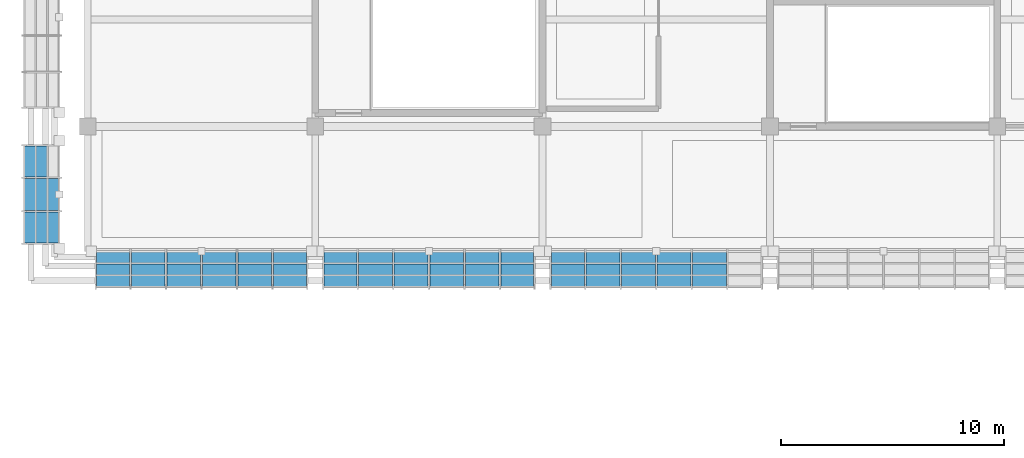
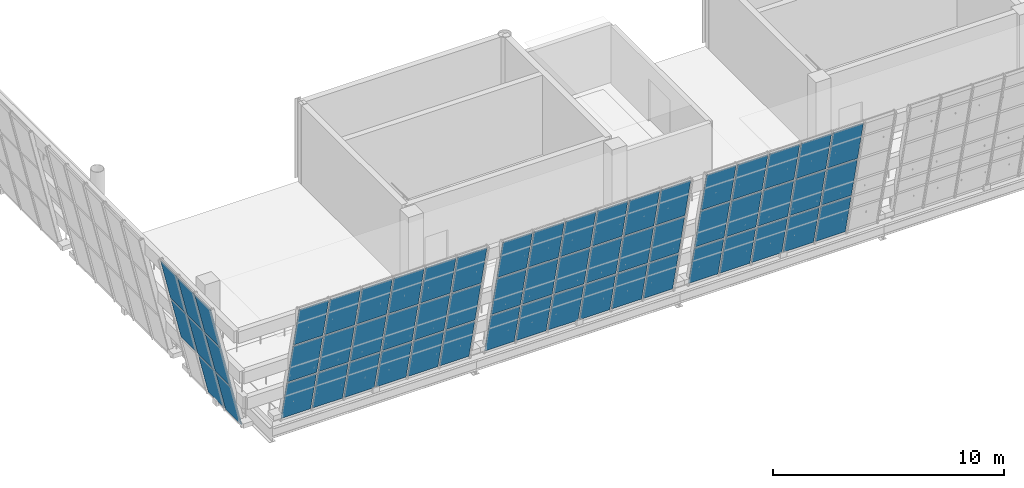
# One storey, part 100 of 157: 59 plates, 4 elements without a shape of their own.
"""IFC4 building model written with IfcOpenShell, lengths in metres."""

from ifc_helpers import new_model, si_unit, direction, frame, origin, place, context, subcontext, project, spatial, polyline, outline, extrude, material, layer, layer_set, type_object, element, aggregate, save


model = new_model("IFC4")

# Units and contexts
model_context = context("Model", 3, precision=1e-05, world=origin(), true_north=direction((0.0, 1.0)))
body_context = subcontext(model_context, "Body", "Model", "MODEL_VIEW")
ifc_project = project(units=[si_unit("LENGTHUNIT", "METRE"), si_unit("AREAUNIT", "SQUARE_METRE"), si_unit("VOLUMEUNIT", "CUBIC_METRE"), si_unit("PLANEANGLEUNIT", "RADIAN"), si_unit("MASSUNIT", "GRAM", prefix="KILO")], contexts=[model_context])

# Site, building, storey
site_placement = place(None, origin())
site = spatial("IfcSite", under=ifc_project, at=site_placement, CompositionType="ELEMENT")
building_placement = place(site_placement, origin())
building = spatial("IfcBuilding", under=site, at=building_placement, Name="Brelvane Convention Centre", CompositionType="ELEMENT")
storey_placement = place(building_placement, frame((0.0, 0.0, 10.800048828125)))
storey = spatial("IfcBuildingStorey", under=building, at=storey_placement, Name="L02", CompositionType="ELEMENT", Elevation=10.800048828125)

# Curtain wall, plates
ifc_material_1 = material(Name="Anodised Aluminium Alloy 6063-T6", Category="aluminium")
curtain_wall_type = type_object("IfcCurtainWallType", Name="Curtain Wall CW-HULL-S", PredefinedType="USERDEFINED", material=ifc_material_1)
curtain_wall_1_placement = place(storey_placement, origin())
curtain_wall_1 = element("IfcCurtainWall", 1, at=curtain_wall_1_placement, inside=storey, type_object=curtain_wall_type, Name="Curtain Wall CW-HULL-S L02-HULL-S-L02-01", ObjectType="UNITISED", PredefinedType="USERDEFINED")
ifc_material_2 = material(Name="Double Glazed Low-E Laminated Unit")
ifc_layer_1 = layer(ifc_material_2, 0.0380859375)
ifc_layer_set_1 = layer_set([ifc_layer_1], Name="Double Glazed Low-E Laminated Unit")
plate_type_1 = type_object("IfcPlateType", Name="Curtain Panel CW-PG2", PredefinedType="CURTAIN_PANEL", material=ifc_layer_set_1)
plate_1_placement = place(storey_placement, frame((0.39990234375, 13.05517578125, 2.3232421875), z_axis=(0.0, 0.973573977576, 0.228371868203), x_axis=(1.0, 0.0, 0.0)))
plate_1 = element("IfcPlate", 2, at=plate_1_placement, type_object=plate_type_1, Name="CW-HULL-S panel 1.2", PredefinedType="CURTAIN_PANEL", context=body_context, shape_type="SweptSolid", body=[
    extrude(outline(polyline([(0.0, 0.0), (1.473388671875, 0.0), (1.473388671875, -2.2631758771022032), (0.0, -2.2631758771022032), (0.0, 0.0)])), origin(), (0.0, 0.0, -1.0), 0.0380859375),
])
plate_2_placement = place(storey_placement, frame((0.39990234375, 12.51953125, 4.606689453125), z_axis=(0.0, 0.973586933466, 0.228316628794), x_axis=(1.0, 0.0, 0.0)))
plate_2 = element("IfcPlate", 3, at=plate_2_placement, type_object=plate_type_1, Name="CW-HULL-S panel 1.3", PredefinedType="CURTAIN_PANEL", context=body_context, shape_type="SweptSolid", body=[
    extrude(outline(polyline([(0.0, 0.0), (1.473388671875, 0.0), (1.473388671875, -2.2220204521674902), (0.0, -2.2220204521674902), (0.0, 0.0)])), origin(), (0.0, 0.0, -1.0), 0.0380859375),
])
plate_3_placement = place(storey_placement, frame((1.953369140625, 13.05517578125, 2.3232421875), z_axis=(0.0, 0.973573977576, 0.228371868203), x_axis=(1.0, 0.0, 0.0)))
plate_3 = element("IfcPlate", 4, at=plate_3_placement, type_object=plate_type_1, Name="CW-HULL-S panel 2.2", PredefinedType="CURTAIN_PANEL", context=body_context, shape_type="SweptSolid", body=[
    extrude(outline(polyline([(0.0, 0.0), (1.51318359375, 0.0), (1.51318359375, -2.2631758771022032), (0.0, -2.2631758771022032), (0.0, 0.0)])), origin(), (0.0, 0.0, -1.0), 0.0380859375),
])
plate_4_placement = place(storey_placement, frame((1.953369140625, 12.51953125, 4.606689453125), z_axis=(0.0, 0.973586933466, 0.228316628794), x_axis=(1.0, 0.0, 0.0)))
plate_4 = element("IfcPlate", 5, at=plate_4_placement, type_object=plate_type_1, Name="CW-HULL-S panel 2.3", PredefinedType="CURTAIN_PANEL", context=body_context, shape_type="SweptSolid", body=[
    extrude(outline(polyline([(0.0, 0.0), (1.51318359375, 0.0), (1.51318359375, -2.2220204521674902), (0.0, -2.2220204521674902), (0.0, 0.0)])), origin(), (0.0, 0.0, -1.0), 0.0380859375),
])
plate_5_placement = place(storey_placement, frame((3.546630859375, 13.05517578125, 2.3232421875), z_axis=(0.0, 0.973573977576, 0.228371868203), x_axis=(1.0, 0.0, 0.0)))
plate_5 = element("IfcPlate", 6, at=plate_5_placement, type_object=plate_type_1, Name="CW-HULL-S panel 3.2", PredefinedType="CURTAIN_PANEL", context=body_context, shape_type="SweptSolid", body=[
    extrude(outline(polyline([(0.0, 0.0), (1.513427734375, 0.0), (1.513427734375, -2.2631758771022032), (0.0, -2.2631758771022032), (0.0, 0.0)])), origin(), (0.0, 0.0, -1.0), 0.0380859375),
])
plate_6_placement = place(storey_placement, frame((3.546630859375, 12.51953125, 4.606689453125), z_axis=(0.0, 0.973586933466, 0.228316628794), x_axis=(1.0, 0.0, 0.0)))
plate_6 = element("IfcPlate", 7, at=plate_6_placement, type_object=plate_type_1, Name="CW-HULL-S panel 3.3", PredefinedType="CURTAIN_PANEL", context=body_context, shape_type="SweptSolid", body=[
    extrude(outline(polyline([(0.0, 0.0), (1.513427734375, 0.0), (1.513427734375, -2.2220204521674902), (0.0, -2.2220204521674902), (0.0, 0.0)])), origin(), (0.0, 0.0, -1.0), 0.0380859375),
])
plate_7_placement = place(storey_placement, frame((5.139892578125, 13.05517578125, 2.3232421875), z_axis=(0.0, 0.973573977576, 0.228371868203), x_axis=(1.0, 0.0, 0.0)))
plate_7 = element("IfcPlate", 8, at=plate_7_placement, type_object=plate_type_1, Name="CW-HULL-S panel 4.2", PredefinedType="CURTAIN_PANEL", context=body_context, shape_type="SweptSolid", body=[
    extrude(outline(polyline([(0.0, 0.0), (1.513427734375, 0.0), (1.513427734375, -2.2631758771022032), (0.0, -2.2631758771022032), (0.0, 0.0)])), origin(), (0.0, 0.0, -1.0), 0.0380859375),
])
plate_8_placement = place(storey_placement, frame((5.139892578125, 12.51953125, 4.606689453125), z_axis=(0.0, 0.973586933466, 0.228316628794), x_axis=(1.0, 0.0, 0.0)))
plate_8 = element("IfcPlate", 9, at=plate_8_placement, type_object=plate_type_1, Name="CW-HULL-S panel 4.3", PredefinedType="CURTAIN_PANEL", context=body_context, shape_type="SweptSolid", body=[
    extrude(outline(polyline([(0.0, 0.0), (1.513427734375, 0.0), (1.513427734375, -2.2220204521674902), (0.0, -2.2220204521674902), (0.0, 0.0)])), origin(), (0.0, 0.0, -1.0), 0.0380859375),
])
plate_9_placement = place(storey_placement, frame((6.7333984375, 13.05517578125, 2.3232421875), z_axis=(0.0, 0.973573977576, 0.228371868203), x_axis=(1.0, 0.0, 0.0)))
plate_9 = element("IfcPlate", 10, at=plate_9_placement, type_object=plate_type_1, Name="CW-HULL-S panel 5.2", PredefinedType="CURTAIN_PANEL", context=body_context, shape_type="SweptSolid", body=[
    extrude(outline(polyline([(0.0, 0.0), (1.51318359375, 0.0), (1.51318359375, -2.2631758771022032), (0.0, -2.2631758771022032), (0.0, 0.0)])), origin(), (0.0, 0.0, -1.0), 0.0380859375),
])
plate_10_placement = place(storey_placement, frame((6.7333984375, 12.51953125, 4.606689453125), z_axis=(0.0, 0.973586933466, 0.228316628794), x_axis=(1.0, 0.0, 0.0)))
plate_10 = element("IfcPlate", 11, at=plate_10_placement, type_object=plate_type_1, Name="CW-HULL-S panel 5.3", PredefinedType="CURTAIN_PANEL", context=body_context, shape_type="SweptSolid", body=[
    extrude(outline(polyline([(0.0, 0.0), (1.51318359375, 0.0), (1.51318359375, -2.2220204521674902), (0.0, -2.2220204521674902), (0.0, 0.0)])), origin(), (0.0, 0.0, -1.0), 0.0380859375),
])
plate_11_placement = place(storey_placement, frame((8.32666015625, 13.05517578125, 2.3232421875), z_axis=(0.0, 0.973573977576, 0.228371868203), x_axis=(1.0, 0.0, 0.0)))
plate_11 = element("IfcPlate", 12, at=plate_11_placement, type_object=plate_type_1, Name="CW-HULL-S panel 6.2", PredefinedType="CURTAIN_PANEL", context=body_context, shape_type="SweptSolid", body=[
    extrude(outline(polyline([(0.0, 0.0), (1.473388671875, 0.0), (1.473388671875, -2.2631758771022032), (0.0, -2.2631758771022032), (0.0, 0.0)])), origin(), (0.0, 0.0, -1.0), 0.0380859375),
])
plate_12_placement = place(storey_placement, frame((8.32666015625, 12.51953125, 4.606689453125), z_axis=(0.0, 0.973586933466, 0.228316628794), x_axis=(1.0, 0.0, 0.0)))
plate_12 = element("IfcPlate", 13, at=plate_12_placement, type_object=plate_type_1, Name="CW-HULL-S panel 6.3", PredefinedType="CURTAIN_PANEL", context=body_context, shape_type="SweptSolid", body=[
    extrude(outline(polyline([(0.0, 0.0), (1.473388671875, 0.0), (1.473388671875, -2.2220204521674902), (0.0, -2.2220204521674902), (0.0, 0.0)])), origin(), (0.0, 0.0, -1.0), 0.0380859375),
])

curtain_wall_2_placement = place(storey_placement, origin())
curtain_wall_2 = element("IfcCurtainWall", 14, at=curtain_wall_2_placement, inside=storey, type_object=curtain_wall_type, Name="Curtain Wall CW-HULL-S L02-HULL-S-L02-02", ObjectType="UNITISED", PredefinedType="USERDEFINED")
plate_13_placement = place(storey_placement, frame((10.60009765625, 13.05517578125, 2.3232421875), z_axis=(0.0, 0.973573977576, 0.228371868203), x_axis=(1.0, 0.0, 0.0)))
plate_13 = element("IfcPlate", 15, at=plate_13_placement, type_object=plate_type_1, Name="CW-HULL-S panel 1.2", PredefinedType="CURTAIN_PANEL", context=body_context, shape_type="SweptSolid", body=[
    extrude(outline(polyline([(0.0, 0.0), (1.47314453125, 0.0), (1.47314453125, -2.2631758771022032), (0.0, -2.2631758771022032), (0.0, 0.0)])), origin(), (0.0, 0.0, -1.0), 0.0380859375),
])
plate_14_placement = place(storey_placement, frame((10.60009765625, 12.51953125, 4.606689453125), z_axis=(0.0, 0.973586933466, 0.228316628794), x_axis=(1.0, 0.0, 0.0)))
plate_14 = element("IfcPlate", 16, at=plate_14_placement, type_object=plate_type_1, Name="CW-HULL-S panel 1.3", PredefinedType="CURTAIN_PANEL", context=body_context, shape_type="SweptSolid", body=[
    extrude(outline(polyline([(0.0, 0.0), (1.47314453125, 0.0), (1.47314453125, -2.2220204521674902), (0.0, -2.2220204521674902), (0.0, 0.0)])), origin(), (0.0, 0.0, -1.0), 0.0380859375),
])
plate_15_placement = place(storey_placement, frame((12.1533203125, 13.05517578125, 2.3232421875), z_axis=(0.0, 0.973573977576, 0.228371868203), x_axis=(1.0, 0.0, 0.0)))
plate_15 = element("IfcPlate", 17, at=plate_15_placement, type_object=plate_type_1, Name="CW-HULL-S panel 2.2", PredefinedType="CURTAIN_PANEL", context=body_context, shape_type="SweptSolid", body=[
    extrude(outline(polyline([(0.0, 0.0), (1.513427734375, 0.0), (1.513427734375, -2.2631758771022032), (0.0, -2.2631758771022032), (0.0, 0.0)])), origin(), (0.0, 0.0, -1.0), 0.0380859375),
])
plate_16_placement = place(storey_placement, frame((12.1533203125, 12.51953125, 4.606689453125), z_axis=(0.0, 0.973586933466, 0.228316628794), x_axis=(1.0, 0.0, 0.0)))
plate_16 = element("IfcPlate", 18, at=plate_16_placement, type_object=plate_type_1, Name="CW-HULL-S panel 2.3", PredefinedType="CURTAIN_PANEL", context=body_context, shape_type="SweptSolid", body=[
    extrude(outline(polyline([(0.0, 0.0), (1.513427734375, 0.0), (1.513427734375, -2.2220204521674902), (0.0, -2.2220204521674902), (0.0, 0.0)])), origin(), (0.0, 0.0, -1.0), 0.0380859375),
])
plate_17_placement = place(storey_placement, frame((13.74658203125, 13.05517578125, 2.3232421875), z_axis=(0.0, 0.973573977576, 0.228371868203), x_axis=(1.0, 0.0, 0.0)))
plate_17 = element("IfcPlate", 19, at=plate_17_placement, type_object=plate_type_1, Name="CW-HULL-S panel 3.2", PredefinedType="CURTAIN_PANEL", context=body_context, shape_type="SweptSolid", body=[
    extrude(outline(polyline([(0.0, 0.0), (1.513427734375, 0.0), (1.513427734375, -2.2631758771022032), (0.0, -2.2631758771022032), (0.0, 0.0)])), origin(), (0.0, 0.0, -1.0), 0.0380859375),
])
plate_18_placement = place(storey_placement, frame((13.74658203125, 12.51953125, 4.606689453125), z_axis=(0.0, 0.973586933466, 0.228316628794), x_axis=(1.0, 0.0, 0.0)))
plate_18 = element("IfcPlate", 20, at=plate_18_placement, type_object=plate_type_1, Name="CW-HULL-S panel 3.3", PredefinedType="CURTAIN_PANEL", context=body_context, shape_type="SweptSolid", body=[
    extrude(outline(polyline([(0.0, 0.0), (1.513427734375, 0.0), (1.513427734375, -2.2220204521674902), (0.0, -2.2220204521674902), (0.0, 0.0)])), origin(), (0.0, 0.0, -1.0), 0.0380859375),
])
plate_19_placement = place(storey_placement, frame((15.340087890625, 13.05517578125, 2.3232421875), z_axis=(0.0, 0.973573977576, 0.228371868203), x_axis=(1.0, 0.0, 0.0)))
plate_19 = element("IfcPlate", 21, at=plate_19_placement, type_object=plate_type_1, Name="CW-HULL-S panel 4.2", PredefinedType="CURTAIN_PANEL", context=body_context, shape_type="SweptSolid", body=[
    extrude(outline(polyline([(0.0, 0.0), (1.51318359375, 0.0), (1.51318359375, -2.2631758771022032), (0.0, -2.2631758771022032), (0.0, 0.0)])), origin(), (0.0, 0.0, -1.0), 0.0380859375),
])
plate_20_placement = place(storey_placement, frame((15.340087890625, 12.51953125, 4.606689453125), z_axis=(0.0, 0.973586933466, 0.228316628794), x_axis=(1.0, 0.0, 0.0)))
plate_20 = element("IfcPlate", 22, at=plate_20_placement, type_object=plate_type_1, Name="CW-HULL-S panel 4.3", PredefinedType="CURTAIN_PANEL", context=body_context, shape_type="SweptSolid", body=[
    extrude(outline(polyline([(0.0, 0.0), (1.51318359375, 0.0), (1.51318359375, -2.2220204521674902), (0.0, -2.2220204521674902), (0.0, 0.0)])), origin(), (0.0, 0.0, -1.0), 0.0380859375),
])
plate_21_placement = place(storey_placement, frame((16.933349609375, 13.05517578125, 2.3232421875), z_axis=(0.0, 0.973573977576, 0.228371868203), x_axis=(1.0, 0.0, 0.0)))
plate_21 = element("IfcPlate", 23, at=plate_21_placement, type_object=plate_type_1, Name="CW-HULL-S panel 5.2", PredefinedType="CURTAIN_PANEL", context=body_context, shape_type="SweptSolid", body=[
    extrude(outline(polyline([(0.0, 0.0), (1.513427734375, 0.0), (1.513427734375, -2.2631758771022032), (0.0, -2.2631758771022032), (0.0, 0.0)])), origin(), (0.0, 0.0, -1.0), 0.0380859375),
])
plate_22_placement = place(storey_placement, frame((16.933349609375, 12.51953125, 4.606689453125), z_axis=(0.0, 0.973586933466, 0.228316628794), x_axis=(1.0, 0.0, 0.0)))
plate_22 = element("IfcPlate", 24, at=plate_22_placement, type_object=plate_type_1, Name="CW-HULL-S panel 5.3", PredefinedType="CURTAIN_PANEL", context=body_context, shape_type="SweptSolid", body=[
    extrude(outline(polyline([(0.0, 0.0), (1.513427734375, 0.0), (1.513427734375, -2.2220204521674902), (0.0, -2.2220204521674902), (0.0, 0.0)])), origin(), (0.0, 0.0, -1.0), 0.0380859375),
])
plate_23_placement = place(storey_placement, frame((18.526611328125, 13.05517578125, 2.3232421875), z_axis=(0.0, 0.973573977576, 0.228371868203), x_axis=(1.0, 0.0, 0.0)))
plate_23 = element("IfcPlate", 25, at=plate_23_placement, type_object=plate_type_1, Name="CW-HULL-S panel 6.2", PredefinedType="CURTAIN_PANEL", context=body_context, shape_type="SweptSolid", body=[
    extrude(outline(polyline([(0.0, 0.0), (1.473388671875, 0.0), (1.473388671875, -2.2631758771022032), (0.0, -2.2631758771022032), (0.0, 0.0)])), origin(), (0.0, 0.0, -1.0), 0.0380859375),
])
plate_24_placement = place(storey_placement, frame((18.526611328125, 12.51953125, 4.606689453125), z_axis=(0.0, 0.973586933466, 0.228316628794), x_axis=(1.0, 0.0, 0.0)))
plate_24 = element("IfcPlate", 26, at=plate_24_placement, type_object=plate_type_1, Name="CW-HULL-S panel 6.3", PredefinedType="CURTAIN_PANEL", context=body_context, shape_type="SweptSolid", body=[
    extrude(outline(polyline([(0.0, 0.0), (1.473388671875, 0.0), (1.473388671875, -2.2220204521674902), (0.0, -2.2220204521674902), (0.0, 0.0)])), origin(), (0.0, 0.0, -1.0), 0.0380859375),
])

curtain_wall_3_placement = place(storey_placement, origin())
curtain_wall_3 = element("IfcCurtainWall", 27, at=curtain_wall_3_placement, inside=storey, type_object=curtain_wall_type, Name="Curtain Wall CW-HULL-S L02-HULL-S-L02-03", ObjectType="UNITISED", PredefinedType="USERDEFINED")
plate_25_placement = place(storey_placement, frame((20.800048828125, 13.05517578125, 2.3232421875), z_axis=(0.0, 0.973573977576, 0.228371868203), x_axis=(1.0, 0.0, 0.0)))
plate_25 = element("IfcPlate", 28, at=plate_25_placement, type_object=plate_type_1, Name="CW-HULL-S panel 1.2", PredefinedType="CURTAIN_PANEL", context=body_context, shape_type="SweptSolid", body=[
    extrude(outline(polyline([(0.0, 0.0), (1.473388671875, 0.0), (1.473388671875, -2.2631758771022032), (0.0, -2.2631758771022032), (0.0, 0.0)])), origin(), (0.0, 0.0, -1.0), 0.0380859375),
])
plate_26_placement = place(storey_placement, frame((20.800048828125, 12.51953125, 4.606689453125), z_axis=(0.0, 0.973586933466, 0.228316628794), x_axis=(1.0, 0.0, 0.0)))
plate_26 = element("IfcPlate", 29, at=plate_26_placement, type_object=plate_type_1, Name="CW-HULL-S panel 1.3", PredefinedType="CURTAIN_PANEL", context=body_context, shape_type="SweptSolid", body=[
    extrude(outline(polyline([(0.0, 0.0), (1.473388671875, 0.0), (1.473388671875, -2.2220204521674902), (0.0, -2.2220204521674902), (0.0, 0.0)])), origin(), (0.0, 0.0, -1.0), 0.0380859375),
])
plate_27_placement = place(storey_placement, frame((22.353271484375, 13.05517578125, 2.3232421875), z_axis=(0.0, 0.973573977576, 0.228371868203), x_axis=(1.0, 0.0, 0.0)))
plate_27 = element("IfcPlate", 30, at=plate_27_placement, type_object=plate_type_1, Name="CW-HULL-S panel 2.2", PredefinedType="CURTAIN_PANEL", context=body_context, shape_type="SweptSolid", body=[
    extrude(outline(polyline([(0.0, 0.0), (1.513427734375, 0.0), (1.513427734375, -2.2631758771022032), (0.0, -2.2631758771022032), (0.0, 0.0)])), origin(), (0.0, 0.0, -1.0), 0.0380859375),
])
plate_28_placement = place(storey_placement, frame((22.353271484375, 12.51953125, 4.606689453125), z_axis=(0.0, 0.973586933466, 0.228316628794), x_axis=(1.0, 0.0, 0.0)))
plate_28 = element("IfcPlate", 31, at=plate_28_placement, type_object=plate_type_1, Name="CW-HULL-S panel 2.3", PredefinedType="CURTAIN_PANEL", context=body_context, shape_type="SweptSolid", body=[
    extrude(outline(polyline([(0.0, 0.0), (1.513427734375, 0.0), (1.513427734375, -2.2220204521674902), (0.0, -2.2220204521674902), (0.0, 0.0)])), origin(), (0.0, 0.0, -1.0), 0.0380859375),
])
plate_29_placement = place(storey_placement, frame((23.94677734375, 13.05517578125, 2.3232421875), z_axis=(0.0, 0.973573977576, 0.228371868203), x_axis=(1.0, 0.0, 0.0)))
plate_29 = element("IfcPlate", 32, at=plate_29_placement, type_object=plate_type_1, Name="CW-HULL-S panel 3.2", PredefinedType="CURTAIN_PANEL", context=body_context, shape_type="SweptSolid", body=[
    extrude(outline(polyline([(0.0, 0.0), (1.51318359375, 0.0), (1.51318359375, -2.2631758771022032), (0.0, -2.2631758771022032), (0.0, 0.0)])), origin(), (0.0, 0.0, -1.0), 0.0380859375),
])
plate_30_placement = place(storey_placement, frame((23.94677734375, 12.51953125, 4.606689453125), z_axis=(0.0, 0.973586933466, 0.228316628794), x_axis=(1.0, 0.0, 0.0)))
plate_30 = element("IfcPlate", 33, at=plate_30_placement, type_object=plate_type_1, Name="CW-HULL-S panel 3.3", PredefinedType="CURTAIN_PANEL", context=body_context, shape_type="SweptSolid", body=[
    extrude(outline(polyline([(0.0, 0.0), (1.51318359375, 0.0), (1.51318359375, -2.2220204521674902), (0.0, -2.2220204521674902), (0.0, 0.0)])), origin(), (0.0, 0.0, -1.0), 0.0380859375),
])
plate_31_placement = place(storey_placement, frame((25.5400390625, 13.05517578125, 2.3232421875), z_axis=(0.0, 0.973573977576, 0.228371868203), x_axis=(1.0, 0.0, 0.0)))
plate_31 = element("IfcPlate", 34, at=plate_31_placement, type_object=plate_type_1, Name="CW-HULL-S panel 4.2", PredefinedType="CURTAIN_PANEL", context=body_context, shape_type="SweptSolid", body=[
    extrude(outline(polyline([(0.0, 0.0), (1.51318359375, 0.0), (1.51318359375, -2.2631758771022032), (0.0, -2.2631758771022032), (0.0, 0.0)])), origin(), (0.0, 0.0, -1.0), 0.0380859375),
])
plate_32_placement = place(storey_placement, frame((25.5400390625, 12.51953125, 4.606689453125), z_axis=(0.0, 0.973586933466, 0.228316628794), x_axis=(1.0, 0.0, 0.0)))
plate_32 = element("IfcPlate", 35, at=plate_32_placement, type_object=plate_type_1, Name="CW-HULL-S panel 4.3", PredefinedType="CURTAIN_PANEL", context=body_context, shape_type="SweptSolid", body=[
    extrude(outline(polyline([(0.0, 0.0), (1.51318359375, 0.0), (1.51318359375, -2.2220204521674902), (0.0, -2.2220204521674902), (0.0, 0.0)])), origin(), (0.0, 0.0, -1.0), 0.0380859375),
])
plate_33_placement = place(storey_placement, frame((27.13330078125, 13.05517578125, 2.3232421875), z_axis=(0.0, 0.973573977576, 0.228371868203), x_axis=(1.0, 0.0, 0.0)))
plate_33 = element("IfcPlate", 36, at=plate_33_placement, type_object=plate_type_1, Name="CW-HULL-S panel 5.2", PredefinedType="CURTAIN_PANEL", context=body_context, shape_type="SweptSolid", body=[
    extrude(outline(polyline([(0.0, 0.0), (1.513427734375, 0.0), (1.513427734375, -2.2631758771022032), (0.0, -2.2631758771022032), (0.0, 0.0)])), origin(), (0.0, 0.0, -1.0), 0.0380859375),
])
plate_34_placement = place(storey_placement, frame((27.13330078125, 12.51953125, 4.606689453125), z_axis=(0.0, 0.973586933466, 0.228316628794), x_axis=(1.0, 0.0, 0.0)))
plate_34 = element("IfcPlate", 37, at=plate_34_placement, type_object=plate_type_1, Name="CW-HULL-S panel 5.3", PredefinedType="CURTAIN_PANEL", context=body_context, shape_type="SweptSolid", body=[
    extrude(outline(polyline([(0.0, 0.0), (1.513427734375, 0.0), (1.513427734375, -2.2220204521674902), (0.0, -2.2220204521674902), (0.0, 0.0)])), origin(), (0.0, 0.0, -1.0), 0.0380859375),
])

curtain_wall_4_placement = place(storey_placement, origin())
curtain_wall_4 = element("IfcCurtainWall", 38, at=curtain_wall_4_placement, inside=storey, type_object=curtain_wall_type, Name="Curtain Wall CW-HULL-S L02-HULL-W-GAL-L02-A", ObjectType="UNITISED", PredefinedType="USERDEFINED")
plate_35_placement = place(storey_placement, frame((-1.817138671875, 13.97998046875, 2.2900390625), z_axis=(0.973570660976, 0.0, 0.228386006766), x_axis=(0.0, 1.0, 0.0)))
plate_35 = element("IfcPlate", 39, at=plate_35_placement, type_object=plate_type_1, Name="CW-HULL-S panel 1.2", PredefinedType="CURTAIN_PANEL", context=body_context, shape_type="SweptSolid", body=[
    extrude(outline(polyline([(0.0, 0.0), (1.380126953125, 0.0), (1.380126953125, 2.2288283346833184), (0.0, 2.2288283346833184), (0.0, 0.0)])), origin(), (0.0, 0.0, -1.0), 0.0380859375),
])
plate_36_placement = place(storey_placement, frame((-2.3447265625, 13.97998046875, 4.5400390625), z_axis=(0.973558945432, 0.0, 0.228435942377), x_axis=(0.0, 1.0, 0.0)))
plate_36 = element("IfcPlate", 40, at=plate_36_placement, type_object=plate_type_1, Name="CW-HULL-S panel 1.3", PredefinedType="CURTAIN_PANEL", context=body_context, shape_type="SweptSolid", body=[
    extrude(outline(polyline([(0.0, 0.0), (1.380126953125, 0.0), (1.380126953125, 2.18772866552563), (0.0, 2.18772866552563), (0.0, 0.0)])), origin(), (0.0, 0.0, -1.0), 0.0380859375),
])
plate_37_placement = place(storey_placement, frame((-1.817138671875, 15.43994140625, 2.2900390625), z_axis=(0.973570660976, 0.0, 0.228386006766), x_axis=(0.0, 1.0, 0.0)))
plate_37 = element("IfcPlate", 41, at=plate_37_placement, type_object=plate_type_1, Name="CW-HULL-S panel 2.2", PredefinedType="CURTAIN_PANEL", context=body_context, shape_type="SweptSolid", body=[
    extrude(outline(polyline([(0.0, 0.0), (1.420166015625, 0.0), (1.420166015625, 2.228828334683318), (0.0, 2.228828334683318), (0.0, 0.0)])), origin(), (0.0, 0.0, -1.0), 0.0380859375),
])
plate_38_placement = place(storey_placement, frame((-2.3447265625, 15.43994140625, 4.5400390625), z_axis=(0.973558945432, 0.0, 0.228435942377), x_axis=(0.0, 1.0, 0.0)))
plate_38 = element("IfcPlate", 42, at=plate_38_placement, type_object=plate_type_1, Name="CW-HULL-S panel 2.3", PredefinedType="CURTAIN_PANEL", context=body_context, shape_type="SweptSolid", body=[
    extrude(outline(polyline([(0.0, 0.0), (1.420166015625, 0.0), (1.420166015625, 2.18772866552563), (0.0, 2.18772866552563), (0.0, 0.0)])), origin(), (0.0, 0.0, -1.0), 0.0380859375),
])
plate_39_placement = place(storey_placement, frame((-1.817138671875, 16.93994140625, 2.2900390625), z_axis=(0.973570660976, 0.0, 0.228386006766), x_axis=(0.0, 1.0, 0.0)))
plate_39 = element("IfcPlate", 43, at=plate_39_placement, type_object=plate_type_1, Name="CW-HULL-S panel 3.2", PredefinedType="CURTAIN_PANEL", context=body_context, shape_type="SweptSolid", body=[
    extrude(outline(polyline([(0.0, 0.0), (1.380126953125, 0.0), (1.380126953125, 2.2288283346833184), (0.0, 2.2288283346833184), (0.0, 0.0)])), origin(), (0.0, 0.0, -1.0), 0.0380859375),
])
plate_40_placement = place(storey_placement, frame((-2.3447265625, 16.93994140625, 4.5400390625), z_axis=(0.973558945432, 0.0, 0.228435942377), x_axis=(0.0, 1.0, 0.0)))
plate_40 = element("IfcPlate", 44, at=plate_40_placement, type_object=plate_type_1, Name="CW-HULL-S panel 3.3", PredefinedType="CURTAIN_PANEL", context=body_context, shape_type="SweptSolid", body=[
    extrude(outline(polyline([(0.0, 0.0), (1.380126953125, 0.0), (1.380126953125, 2.18772866552563), (0.0, 2.18772866552563), (0.0, 0.0)])), origin(), (0.0, 0.0, -1.0), 0.0380859375),
])

# Plate
ifc_material_3 = material(Name="Patinated Copper-Bronze Alloy C22000")
ifc_layer_2 = layer(ifc_material_3, 0.055908203125)
ifc_layer_set_2 = layer_set([ifc_layer_2], Name="Patinated Copper-Bronze Alloy C22000")
plate_type_2 = type_object("IfcPlateType", Name="Curtain Panel CW-PS2", PredefinedType="CURTAIN_PANEL", material=ifc_layer_set_2)
plate_41_placement = place(storey_placement, frame((0.39990234375, 13.581298828125, 0.079833984375), z_axis=(0.0, 0.973562505213, 0.228420770606), x_axis=(1.0, 0.0, 0.0)))
plate_41 = element("IfcPlate", 45, at=plate_41_placement, type_object=plate_type_2, Name="CW-HULL-S panel 1.1", PredefinedType="CURTAIN_PANEL", context=body_context, shape_type="SweptSolid", body=[
    extrude(outline(polyline([(0.0, 0.0), (1.473388671875, 0.0), (1.473388671875, -2.222076206244725), (0.0, -2.222076206244725), (0.0, 0.0)])), origin(), (0.0, 0.0, -1.0), 0.0380859375),
])

plate_42_placement = place(storey_placement, frame((1.953369140625, 13.581298828125, 0.079833984375), z_axis=(0.0, 0.973562505213, 0.228420770606), x_axis=(1.0, 0.0, 0.0)))
plate_42 = element("IfcPlate", 46, at=plate_42_placement, type_object=plate_type_2, Name="CW-HULL-S panel 2.1", PredefinedType="CURTAIN_PANEL", context=body_context, shape_type="SweptSolid", body=[
    extrude(outline(polyline([(0.0, 0.0), (1.51318359375, 0.0), (1.51318359375, -2.2220762062447244), (0.0, -2.2220762062447244), (0.0, 0.0)])), origin(), (0.0, 0.0, -1.0), 0.0380859375),
])

plate_43_placement = place(storey_placement, frame((3.546630859375, 13.581298828125, 0.079833984375), z_axis=(0.0, 0.973562505213, 0.228420770606), x_axis=(1.0, 0.0, 0.0)))
plate_43 = element("IfcPlate", 47, at=plate_43_placement, type_object=plate_type_2, Name="CW-HULL-S panel 3.1", PredefinedType="CURTAIN_PANEL", context=body_context, shape_type="SweptSolid", body=[
    extrude(outline(polyline([(0.0, 0.0), (1.513427734375, 0.0), (1.513427734375, -2.2220762062447244), (0.0, -2.2220762062447244), (0.0, 0.0)])), origin(), (0.0, 0.0, -1.0), 0.0380859375),
])

plate_44_placement = place(storey_placement, frame((5.139892578125, 13.581298828125, 0.079833984375), z_axis=(0.0, 0.973562505213, 0.228420770606), x_axis=(1.0, 0.0, 0.0)))
plate_44 = element("IfcPlate", 48, at=plate_44_placement, type_object=plate_type_2, Name="CW-HULL-S panel 4.1", PredefinedType="CURTAIN_PANEL", context=body_context, shape_type="SweptSolid", body=[
    extrude(outline(polyline([(0.0, 0.0), (1.513427734375, 0.0), (1.513427734375, -2.2220762062447244), (0.0, -2.2220762062447244), (0.0, 0.0)])), origin(), (0.0, 0.0, -1.0), 0.0380859375),
])

plate_45_placement = place(storey_placement, frame((6.7333984375, 13.581298828125, 0.079833984375), z_axis=(0.0, 0.973562505213, 0.228420770606), x_axis=(1.0, 0.0, 0.0)))
plate_45 = element("IfcPlate", 49, at=plate_45_placement, type_object=plate_type_2, Name="CW-HULL-S panel 5.1", PredefinedType="CURTAIN_PANEL", context=body_context, shape_type="SweptSolid", body=[
    extrude(outline(polyline([(0.0, 0.0), (1.51318359375, 0.0), (1.51318359375, -2.2220762062447244), (0.0, -2.2220762062447244), (0.0, 0.0)])), origin(), (0.0, 0.0, -1.0), 0.0380859375),
])

plate_46_placement = place(storey_placement, frame((8.32666015625, 13.581298828125, 0.079833984375), z_axis=(0.0, 0.973562505213, 0.228420770606), x_axis=(1.0, 0.0, 0.0)))
plate_46 = element("IfcPlate", 50, at=plate_46_placement, type_object=plate_type_2, Name="CW-HULL-S panel 6.1", PredefinedType="CURTAIN_PANEL", context=body_context, shape_type="SweptSolid", body=[
    extrude(outline(polyline([(0.0, 0.0), (1.473388671875, 0.0), (1.473388671875, -2.222076206244725), (0.0, -2.222076206244725), (0.0, 0.0)])), origin(), (0.0, 0.0, -1.0), 0.0380859375),
])

aggregate(curtain_wall_1, [plate_41, plate_1, plate_2, plate_42, plate_3, plate_4, plate_43, plate_5, plate_6, plate_44, plate_7, plate_8, plate_45, plate_9, plate_10, plate_46, plate_11, plate_12])

plate_47_placement = place(storey_placement, frame((10.60009765625, 13.581298828125, 0.079833984375), z_axis=(0.0, 0.973562505213, 0.228420770606), x_axis=(1.0, 0.0, 0.0)))
plate_47 = element("IfcPlate", 51, at=plate_47_placement, type_object=plate_type_2, Name="CW-HULL-S panel 1.1", PredefinedType="CURTAIN_PANEL", context=body_context, shape_type="SweptSolid", body=[
    extrude(outline(polyline([(0.0, 0.0), (1.47314453125, 0.0), (1.47314453125, -2.222076206244725), (0.0, -2.222076206244725), (0.0, 0.0)])), origin(), (0.0, 0.0, -1.0), 0.0380859375),
])

plate_48_placement = place(storey_placement, frame((12.1533203125, 13.581298828125, 0.079833984375), z_axis=(0.0, 0.973562505213, 0.228420770606), x_axis=(1.0, 0.0, 0.0)))
plate_48 = element("IfcPlate", 52, at=plate_48_placement, type_object=plate_type_2, Name="CW-HULL-S panel 2.1", PredefinedType="CURTAIN_PANEL", context=body_context, shape_type="SweptSolid", body=[
    extrude(outline(polyline([(0.0, 0.0), (1.513427734375, 0.0), (1.513427734375, -2.2220762062447244), (0.0, -2.2220762062447244), (0.0, 0.0)])), origin(), (0.0, 0.0, -1.0), 0.0380859375),
])

plate_49_placement = place(storey_placement, frame((13.74658203125, 13.581298828125, 0.079833984375), z_axis=(0.0, 0.973562505213, 0.228420770606), x_axis=(1.0, 0.0, 0.0)))
plate_49 = element("IfcPlate", 53, at=plate_49_placement, type_object=plate_type_2, Name="CW-HULL-S panel 3.1", PredefinedType="CURTAIN_PANEL", context=body_context, shape_type="SweptSolid", body=[
    extrude(outline(polyline([(0.0, 0.0), (1.513427734375, 0.0), (1.513427734375, -2.2220762062447244), (0.0, -2.2220762062447244), (0.0, 0.0)])), origin(), (0.0, 0.0, -1.0), 0.0380859375),
])

plate_50_placement = place(storey_placement, frame((15.340087890625, 13.581298828125, 0.079833984375), z_axis=(0.0, 0.973562505213, 0.228420770606), x_axis=(1.0, 0.0, 0.0)))
plate_50 = element("IfcPlate", 54, at=plate_50_placement, type_object=plate_type_2, Name="CW-HULL-S panel 4.1", PredefinedType="CURTAIN_PANEL", context=body_context, shape_type="SweptSolid", body=[
    extrude(outline(polyline([(0.0, 0.0), (1.51318359375, 0.0), (1.51318359375, -2.2220762062447244), (0.0, -2.2220762062447244), (0.0, 0.0)])), origin(), (0.0, 0.0, -1.0), 0.0380859375),
])

plate_51_placement = place(storey_placement, frame((16.933349609375, 13.581298828125, 0.079833984375), z_axis=(0.0, 0.973562505213, 0.228420770606), x_axis=(1.0, 0.0, 0.0)))
plate_51 = element("IfcPlate", 55, at=plate_51_placement, type_object=plate_type_2, Name="CW-HULL-S panel 5.1", PredefinedType="CURTAIN_PANEL", context=body_context, shape_type="SweptSolid", body=[
    extrude(outline(polyline([(0.0, 0.0), (1.513427734375, 0.0), (1.513427734375, -2.2220762062447244), (0.0, -2.2220762062447244), (0.0, 0.0)])), origin(), (0.0, 0.0, -1.0), 0.0380859375),
])

plate_52_placement = place(storey_placement, frame((18.526611328125, 13.581298828125, 0.079833984375), z_axis=(0.0, 0.973562505213, 0.228420770606), x_axis=(1.0, 0.0, 0.0)))
plate_52 = element("IfcPlate", 56, at=plate_52_placement, type_object=plate_type_2, Name="CW-HULL-S panel 6.1", PredefinedType="CURTAIN_PANEL", context=body_context, shape_type="SweptSolid", body=[
    extrude(outline(polyline([(0.0, 0.0), (1.473388671875, 0.0), (1.473388671875, -2.222076206244725), (0.0, -2.222076206244725), (0.0, 0.0)])), origin(), (0.0, 0.0, -1.0), 0.0380859375),
])

aggregate(curtain_wall_2, [plate_47, plate_13, plate_14, plate_48, plate_15, plate_16, plate_49, plate_17, plate_18, plate_50, plate_19, plate_20, plate_51, plate_21, plate_22, plate_52, plate_23, plate_24])

plate_53_placement = place(storey_placement, frame((20.800048828125, 13.581298828125, 0.079833984375), z_axis=(0.0, 0.973562505213, 0.228420770606), x_axis=(1.0, 0.0, 0.0)))
plate_53 = element("IfcPlate", 57, at=plate_53_placement, type_object=plate_type_2, Name="CW-HULL-S panel 1.1", PredefinedType="CURTAIN_PANEL", context=body_context, shape_type="SweptSolid", body=[
    extrude(outline(polyline([(0.0, 0.0), (1.473388671875, 0.0), (1.473388671875, -2.222076206244725), (0.0, -2.222076206244725), (0.0, 0.0)])), origin(), (0.0, 0.0, -1.0), 0.0380859375),
])

plate_54_placement = place(storey_placement, frame((22.353271484375, 13.581298828125, 0.079833984375), z_axis=(0.0, 0.973562505213, 0.228420770606), x_axis=(1.0, 0.0, 0.0)))
plate_54 = element("IfcPlate", 58, at=plate_54_placement, type_object=plate_type_2, Name="CW-HULL-S panel 2.1", PredefinedType="CURTAIN_PANEL", context=body_context, shape_type="SweptSolid", body=[
    extrude(outline(polyline([(0.0, 0.0), (1.513427734375, 0.0), (1.513427734375, -2.2220762062447244), (0.0, -2.2220762062447244), (0.0, 0.0)])), origin(), (0.0, 0.0, -1.0), 0.0380859375),
])

plate_55_placement = place(storey_placement, frame((23.94677734375, 13.581298828125, 0.079833984375), z_axis=(0.0, 0.973562505213, 0.228420770606), x_axis=(1.0, 0.0, 0.0)))
plate_55 = element("IfcPlate", 59, at=plate_55_placement, type_object=plate_type_2, Name="CW-HULL-S panel 3.1", PredefinedType="CURTAIN_PANEL", context=body_context, shape_type="SweptSolid", body=[
    extrude(outline(polyline([(0.0, 0.0), (1.51318359375, 0.0), (1.51318359375, -2.2220762062447244), (0.0, -2.2220762062447244), (0.0, 0.0)])), origin(), (0.0, 0.0, -1.0), 0.0380859375),
])

plate_56_placement = place(storey_placement, frame((25.5400390625, 13.581298828125, 0.079833984375), z_axis=(0.0, 0.973562505213, 0.228420770606), x_axis=(1.0, 0.0, 0.0)))
plate_56 = element("IfcPlate", 60, at=plate_56_placement, type_object=plate_type_2, Name="CW-HULL-S panel 4.1", PredefinedType="CURTAIN_PANEL", context=body_context, shape_type="SweptSolid", body=[
    extrude(outline(polyline([(0.0, 0.0), (1.51318359375, 0.0), (1.51318359375, -2.2220762062447244), (0.0, -2.2220762062447244), (0.0, 0.0)])), origin(), (0.0, 0.0, -1.0), 0.0380859375),
])

plate_57_placement = place(storey_placement, frame((27.13330078125, 13.581298828125, 0.079833984375), z_axis=(0.0, 0.973562505213, 0.228420770606), x_axis=(1.0, 0.0, 0.0)))
plate_57 = element("IfcPlate", 61, at=plate_57_placement, type_object=plate_type_2, Name="CW-HULL-S panel 5.1", PredefinedType="CURTAIN_PANEL", context=body_context, shape_type="SweptSolid", body=[
    extrude(outline(polyline([(0.0, 0.0), (1.513427734375, 0.0), (1.513427734375, -2.2220762062447244), (0.0, -2.2220762062447244), (0.0, 0.0)])), origin(), (0.0, 0.0, -1.0), 0.0380859375),
])

aggregate(curtain_wall_3, [plate_53, plate_25, plate_26, plate_54, plate_27, plate_28, plate_55, plate_29, plate_30, plate_56, plate_31, plate_32, plate_57, plate_33, plate_34])

plate_58_placement = place(storey_placement, frame((-1.298828125, 13.97998046875, 0.079833984375), z_axis=(0.973589575883, 0.0, 0.228305360717), x_axis=(0.0, 1.0, 0.0)))
plate_58 = element("IfcPlate", 62, at=plate_58_placement, type_object=plate_type_2, Name="CW-HULL-S panel 1.1", PredefinedType="CURTAIN_PANEL", context=body_context, shape_type="SweptSolid", body=[
    extrude(outline(polyline([(0.0, 0.0), (1.380126953125, 0.0), (1.380126953125, 2.187910600001329), (0.0, 2.187910600001329), (0.0, 0.0)])), origin(), (0.0, 0.0, -1.0), 0.0380859375),
])

plate_59_placement = place(storey_placement, frame((-1.298828125, 15.43994140625, 0.079833984375), z_axis=(0.973589575883, 0.0, 0.228305360717), x_axis=(0.0, 1.0, 0.0)))
plate_59 = element("IfcPlate", 63, at=plate_59_placement, type_object=plate_type_2, Name="CW-HULL-S panel 2.1", PredefinedType="CURTAIN_PANEL", context=body_context, shape_type="SweptSolid", body=[
    extrude(outline(polyline([(0.0, 0.0), (1.420166015625, 0.0), (1.420166015625, 2.187910600001329), (0.0, 2.187910600001329), (0.0, 0.0)])), origin(), (0.0, 0.0, -1.0), 0.0380859375),
])

aggregate(curtain_wall_4, [plate_58, plate_35, plate_36, plate_59, plate_37, plate_38, plate_39, plate_40])

save(model, "model.ifc")
